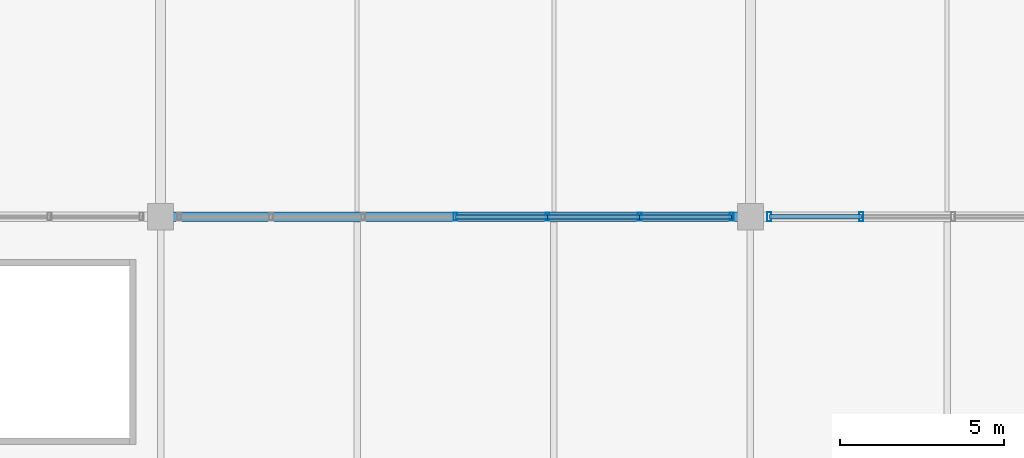
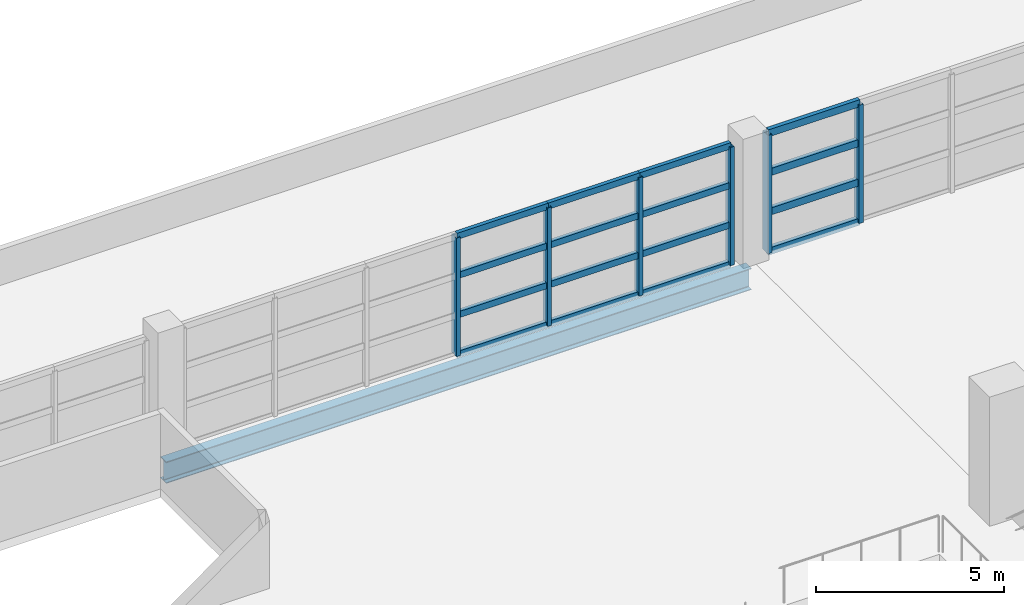
# One storey, part 49 of 136: 22 members, 1 beam, 2 elements without a shape of their own.
"""IFC4 building model written with IfcOpenShell, lengths in metres."""

import ifcopenshell
import ifcopenshell.guid

model = None  # the IFC model being written
_history = None  # IfcOwnerHistory: only IFC2X3 demands one
_inside = {}  # id of a spatial element -> (the spatial element, [elements in it])
_under = {}  # id of a project, library or spatial element -> (it, [spatial elements below it])
_declared = {}  # id of a project -> (the project, [libraries it declares])
_typed = {}  # id of a type object -> (the type object, [elements of that type])
_made_of = {}  # id of a material, layer set ... -> (it, [elements and type objects made of it])


def new_model(schema):
    """Start an empty IFC model of exactly this schema.

    Asked for "IFC4X3", IfcOpenShell would pick the latest addendum, in which some entities
    have other attributes; the version numbers below select the first issue.
    IFC2X3 requires an IfcOwnerHistory on every rooted entity: one is made here for all.
    """
    global model, _history
    if schema == "IFC4X3":
        model = ifcopenshell.file(schema_version=(4, 3, 0, 0))
    else:
        model = ifcopenshell.file(schema=schema)
    _inside.clear()
    _under.clear()
    _declared.clear()
    _typed.clear()
    _made_of.clear()
    _history = None
    if model.schema == "IFC2X3":
        org = make("IfcOrganization", Name="unknown")
        user = make(
            "IfcPersonAndOrganization",
            ThePerson=make("IfcPerson", FamilyName="unknown"),
            TheOrganization=org,
        )
        app = make(
            "IfcApplication",
            ApplicationDeveloper=org,
            Version="unknown",
            ApplicationFullName="unknown",
            ApplicationIdentifier="unknown",
        )
        _history = make(
            "IfcOwnerHistory",
            OwningUser=user,
            OwningApplication=app,
            ChangeAction="ADDED",
            CreationDate=0,
        )
    return model


def make(cls, **values):
    """One entity of the class cls with the attributes given. An attribute that is None is left unset."""
    return model.create_entity(
        cls, **{name: value for name, value in values.items() if value is not None}
    )


def rooted(cls, **values):
    """An entity with a GlobalId (a new one), such as an element, a storey or a relation."""
    return make(cls, GlobalId=ifcopenshell.guid.new(), OwnerHistory=_history, **values)


def si_unit(unit_type, name, prefix=None):
    """IfcSIUnit, for example si_unit("LENGTHUNIT", "METRE", prefix="MILLI")."""
    return make("IfcSIUnit", UnitType=unit_type, Prefix=prefix, Name=name)


def assignment(units):
    """IfcUnitAssignment: the units of a project."""
    return None if units is None else make("IfcUnitAssignment", Units=units)


def point(xyz):
    """IfcCartesianPoint."""
    return None if xyz is None else make("IfcCartesianPoint", Coordinates=xyz)


def direction(xyz):
    """IfcDirection."""
    return None if xyz is None else make("IfcDirection", DirectionRatios=xyz)


def frame(location, z_axis=None, x_axis=None):
    """IfcAxis2Placement3D, a coordinate frame: its origin and axes. An axis left out is left unset."""
    return make(
        "IfcAxis2Placement3D",
        Location=point(location),
        Axis=direction(z_axis),
        RefDirection=direction(x_axis),
    )


def frame_2d(location, x_axis=None):
    """IfcAxis2Placement2D, a coordinate frame in the plane: its origin and x axis."""
    return make(
        "IfcAxis2Placement2D", Location=point(location), RefDirection=direction(x_axis)
    )


def origin():
    """The frame at (0, 0, 0) with its axes left unset."""
    return frame((0.0, 0.0, 0.0))


def origin_2d():
    """The frame at (0, 0) in the plane with its x axis left unset."""
    return frame_2d((0.0, 0.0))


def place(relative_to, where):
    """IfcLocalPlacement: puts the frame where relative to a parent placement (None: the world)."""
    return make(
        "IfcLocalPlacement", PlacementRelTo=relative_to, RelativePlacement=where
    )


def context(
    kind, dimensions, precision=None, world=None, true_north=None, identifier=None
):
    """IfcGeometricRepresentationContext, for example the 3D "Model" context."""
    return make(
        "IfcGeometricRepresentationContext",
        ContextIdentifier=identifier,
        ContextType=kind,
        CoordinateSpaceDimension=dimensions,
        Precision=precision,
        WorldCoordinateSystem=world,
        TrueNorth=true_north,
    )


def subcontext(parent, identifier, kind, view, scale=None):
    """IfcGeometricRepresentationSubContext, for example "Body" below "Model"."""
    return make(
        "IfcGeometricRepresentationSubContext",
        ContextIdentifier=identifier,
        ContextType=kind,
        ParentContext=parent,
        TargetScale=scale,
        TargetView=view,
    )


def project(units=None, contexts=None):
    """IfcProject with its units and contexts."""
    return rooted(
        "IfcProject",
        Name="project",
        RepresentationContexts=contexts,
        UnitsInContext=assignment(units),
    )


def spatial(cls, under=None, at=None, **own):
    """A site, building, storey or space (cls), placed at a placement, below another one or the project."""
    s = rooted(cls, ObjectPlacement=at, **own)
    if under is not None:
        _under.setdefault(under.id(), (under, []))[1].append(s)
    return s


def profile(cls, at=None, kind="AREA", **sizes):
    """A parametric profile (cls). Its sizes go by their IFC names, for example OverallWidth=200.0."""
    return make(cls, ProfileType=kind, Position=at, **sizes)


def hollow_rectangle(**sizes):
    """IfcRectangleHollowProfileDef."""
    return profile("IfcRectangleHollowProfileDef", **sizes)


def i_section(**sizes):
    """IfcIShapeProfileDef."""
    return profile("IfcIShapeProfileDef", **sizes)


def extrude(swept, where, along, depth):
    """IfcExtrudedAreaSolid: the profile swept, set in the frame where, extruded along a direction by depth."""
    return make(
        "IfcExtrudedAreaSolid",
        SweptArea=swept,
        Position=where,
        ExtrudedDirection=direction(along),
        Depth=depth,
    )


def shape(context_of_items, identifier, shape_type, items):
    """IfcShapeRepresentation: the items that make up one representation, for example the "Body"."""
    return make(
        "IfcShapeRepresentation",
        ContextOfItems=context_of_items,
        RepresentationIdentifier=identifier,
        RepresentationType=shape_type,
        Items=items,
    )


def material(Name=None, Category=None):
    """IfcMaterial."""
    return make("IfcMaterial", Name=Name, Category=Category)


def material_profile(
    of_material, cross_section, Name=None, Category=None, Priority=None
):
    """IfcMaterialProfile: a cross section and its material."""
    return make(
        "IfcMaterialProfile",
        Name=Name,
        Material=of_material,
        Profile=cross_section,
        Priority=Priority,
        Category=Category,
    )


def profile_set(profiles, Name=None, composite=None):
    """IfcMaterialProfileSet."""
    return make(
        "IfcMaterialProfileSet",
        Name=Name,
        MaterialProfiles=profiles,
        CompositeProfile=composite,
    )


def made_of(thing, what):
    """Note that an element or type object is made of a material, layer set ...; save() writes the relation."""
    if what is not None:
        _made_of.setdefault(what.id(), (what, []))[1].append(thing)
    return thing


def type_object(cls, material=None, **own):
    """A type object (cls), such as IfcWallType, which elements share."""
    return made_of(rooted(cls, **own), material)


def element(
    cls,
    number,
    at=None,
    inside=None,
    cuts=None,
    type_object=None,
    material=None,
    context=None,
    identifier="Body",
    shape_type=None,
    held_by="IfcProductDefinitionShape",
    body=None,
    shapes=None,
    **own,
):
    """One element of the class cls, such as IfcWall. Its Tag is "e" and its number.

    at: its placement. inside: the storey or other place that contains it. cuts: it is an
    opening in that element (IfcRelVoidsElement). A single representation is given by context,
    identifier, shape_type and body (its items); several are given by shapes. held_by: the class
    of the entity that holds the representations. save() writes the other relations.
    """
    e = rooted(cls, Tag="e%d" % number, ObjectPlacement=at, **own)
    if body is not None:
        shapes = [shape(context, identifier, shape_type, body)]
    if shapes is not None:
        e.Representation = make(held_by, Representations=shapes)
    if inside is not None:
        _inside.setdefault(inside.id(), (inside, []))[1].append(e)
    if cuts is not None:
        rooted(
            "IfcRelVoidsElement", RelatingBuildingElement=cuts, RelatedOpeningElement=e
        )
    if type_object is not None:
        _typed.setdefault(type_object.id(), (type_object, []))[1].append(e)
    return made_of(e, material)


def aggregate(whole, parts):
    """IfcRelAggregates: a whole, such as a stair, and the parts it consists of."""
    return rooted("IfcRelAggregates", RelatingObject=whole, RelatedObjects=parts)


def save(model, path):
    """Write the relations noted so far, then the file.

    IfcRelAggregates (storeys below a building ...), IfcRelContainedInSpatialStructure (elements
    in a storey), IfcRelDefinesByType, IfcRelAssociatesMaterial and IfcRelDeclares: one each for
    every whole, place, type object, material and project.
    """
    for whole, parts in _under.values():
        aggregate(whole, parts)
    for where, things in _inside.values():
        rooted(
            "IfcRelContainedInSpatialStructure",
            RelatedElements=things,
            RelatingStructure=where,
        )
    for kind, things in _typed.values():
        rooted("IfcRelDefinesByType", RelatedObjects=things, RelatingType=kind)
    for what, things in _made_of.values():
        rooted("IfcRelAssociatesMaterial", RelatedObjects=things, RelatingMaterial=what)
    for by, libraries in _declared.values():
        rooted("IfcRelDeclares", RelatingContext=by, RelatedDefinitions=libraries)
    model.write(path)


model = new_model("IFC4")

# Units and contexts
model_context = context("Model", 3, precision=1e-05, world=origin(), true_north=direction((0.0, 1.0)))
body_context = subcontext(model_context, "Body", "Model", "MODEL_VIEW")
ifc_project = project(units=[si_unit("LENGTHUNIT", "METRE"), si_unit("AREAUNIT", "SQUARE_METRE"), si_unit("VOLUMEUNIT", "CUBIC_METRE"), si_unit("PLANEANGLEUNIT", "RADIAN"), si_unit("MASSUNIT", "GRAM", prefix="KILO")], contexts=[model_context])

# Site, building, storey
site_placement = place(None, origin())
site = spatial("IfcSite", under=ifc_project, at=site_placement, CompositionType="ELEMENT")
building_placement = place(site_placement, origin())
building = spatial("IfcBuilding", under=site, at=building_placement, Name="Chuanluo Vaults Station", CompositionType="ELEMENT")
storey_placement = place(building_placement, frame((0.0, 0.0, 6.60009765625)))
storey = spatial("IfcBuildingStorey", under=building, at=storey_placement, Name="L01", CompositionType="ELEMENT", Elevation=6.60009765625)

# Beam
ifc_material_1 = material(Name="Steel Q355C", Category="steel")
ifc_material_profile_1 = material_profile(ifc_material_1, i_section(OverallWidth=0.300048828125, OverallDepth=0.699951171875, WebThickness=0.012939453125, FlangeThickness=0.02392578125, FilletRadius=0.02197265625, at=origin_2d()))
ifc_profile_set_1 = profile_set([ifc_material_profile_1], Name="Steel Q355C")
beam_type = type_object("IfcBeamType", Name="BM-GRD-700", PredefinedType="USERDEFINED", material=ifc_profile_set_1)
beam_placement = place(storey_placement, frame((72.0, 117.0, -0.630126953125), z_axis=(1.0, 0.0, 0.0), x_axis=(0.0, 1.0, 0.0)))
element("IfcBeam", 1, at=beam_placement, inside=storey, type_object=beam_type, Name="Floor girder BM:GX:L01:0381", ObjectType="GIRDER", PredefinedType="USERDEFINED", context=body_context, shape_type="SweptSolid", body=[
    extrude(i_section(OverallWidth=0.300048828125, OverallDepth=0.699951171875, WebThickness=0.012939453125, FlangeThickness=0.02392578125, FilletRadius=0.02197265625, at=origin_2d()), origin(), (0.0, 0.0, 1.0), 18.0),
])

# Curtain wall, members
ifc_material_2 = material(Name="Anodised aluminium 6063-T6", Category="aluminium")
curtain_wall_type_1 = type_object("IfcCurtainWallType", Name="CW-SYS-19", PredefinedType="NOTDEFINED", material=ifc_material_2)
curtain_wall_1_placement = place(storey_placement, origin())
curtain_wall_1 = element("IfcCurtainWall", 2, at=curtain_wall_1_placement, inside=storey, type_object=curtain_wall_type_1, Name="Over-track V5 north facade CW", PredefinedType="NOTDEFINED")
ifc_material_3 = material(Name="Anodised aluminium 6063-T6", Category="aluminium")
ifc_material_profile_2 = material_profile(ifc_material_3, hollow_rectangle(XDim=0.1201171875, YDim=0.25, WallThickness=0.006103515625, at=origin_2d()))
ifc_profile_set_2 = profile_set([ifc_material_profile_2], Name="Anodised aluminium 6063-T6")
member_type_1 = type_object("IfcMemberType", Name="CWM-160", PredefinedType="MULLION", material=ifc_profile_set_2)
member_1_placement = place(storey_placement, frame((81.0, 117.0, 0.0), z_axis=(0.0, 0.0, 1.0), x_axis=(1.0, 0.0, 0.0)))
member_1 = element("IfcMember", 3, at=member_1_placement, type_object=member_type_1, Name="Over-track V5 north facade CW mullion 4", PredefinedType="MULLION", context=body_context, shape_type="SweptSolid", body=[
    extrude(hollow_rectangle(XDim=0.1201171875, YDim=0.25, WallThickness=0.006103515625, at=origin_2d()), origin(), (0.0, 0.0, 1.0), 3.849853515625),
])
member_2_placement = place(storey_placement, frame((83.808349609375, 117.0, 0.0), z_axis=(0.0, 0.0, 1.0), x_axis=(1.0, 0.0, 0.0)))
member_2 = element("IfcMember", 4, at=member_2_placement, type_object=member_type_1, Name="Over-track V5 north facade CW mullion 5", PredefinedType="MULLION", context=body_context, shape_type="SweptSolid", body=[
    extrude(hollow_rectangle(XDim=0.1201171875, YDim=0.25, WallThickness=0.006103515625, at=origin_2d()), origin(), (0.0, 0.0, 1.0), 3.849853515625),
])
member_3_placement = place(storey_placement, frame((86.61669921875, 117.0, 0.0), z_axis=(0.0, 0.0, 1.0), x_axis=(1.0, 0.0, 0.0)))
member_3 = element("IfcMember", 5, at=member_3_placement, type_object=member_type_1, Name="Over-track V5 north facade CW mullion 6", PredefinedType="MULLION", context=body_context, shape_type="SweptSolid", body=[
    extrude(hollow_rectangle(XDim=0.1201171875, YDim=0.25, WallThickness=0.006103515625, at=origin_2d()), origin(), (0.0, 0.0, 1.0), 3.849853515625),
])
member_4_placement = place(storey_placement, frame((89.425048828125, 117.0, 0.0), z_axis=(0.0, 0.0, 1.0), x_axis=(1.0, 0.0, 0.0)))
member_4 = element("IfcMember", 6, at=member_4_placement, type_object=member_type_1, Name="Over-track V5 north facade CW mullion 7", PredefinedType="MULLION", context=body_context, shape_type="SweptSolid", body=[
    extrude(hollow_rectangle(XDim=0.1201171875, YDim=0.25, WallThickness=0.006103515625, at=origin_2d()), origin(), (0.0, 0.0, 1.0), 3.849853515625),
])

ifc_material_4 = material(Name="Anodised aluminium 6063-T6", Category="aluminium")
curtain_wall_type_2 = type_object("IfcCurtainWallType", Name="CW-SYS-22", PredefinedType="NOTDEFINED", material=ifc_material_4)
curtain_wall_2_placement = place(storey_placement, origin())
curtain_wall_2 = element("IfcCurtainWall", 7, at=curtain_wall_2_placement, inside=storey, type_object=curtain_wall_type_2, Name="Over-track V6 north facade CW", PredefinedType="NOTDEFINED")
ifc_material_5 = material(Name="Anodised aluminium 6063-T6", Category="aluminium")
ifc_material_profile_3 = material_profile(ifc_material_5, hollow_rectangle(XDim=0.1298828125, YDim=0.280029296875, WallThickness=0.007080078125, at=origin_2d()))
ifc_profile_set_3 = profile_set([ifc_material_profile_3], Name="Anodised aluminium 6063-T6")
member_type_2 = type_object("IfcMemberType", Name="CWM-180", PredefinedType="MULLION", material=ifc_profile_set_3)
member_5_placement = place(storey_placement, frame((90.574951171875, 117.0, 0.0), z_axis=(0.0, 0.0, 1.0), x_axis=(1.0, 0.0, 0.0)))
member_5 = element("IfcMember", 8, at=member_5_placement, type_object=member_type_2, Name="Over-track V6 north facade CW mullion 1", PredefinedType="MULLION", context=body_context, shape_type="SweptSolid", body=[
    extrude(hollow_rectangle(XDim=0.1298828125, YDim=0.280029296875, WallThickness=0.007080078125, at=origin_2d()), origin(), (0.0, 0.0, 1.0), 3.849853515625),
])
member_6_placement = place(storey_placement, frame((93.38330078125, 117.0, 0.0), z_axis=(0.0, 0.0, 1.0), x_axis=(1.0, 0.0, 0.0)))
member_6 = element("IfcMember", 9, at=member_6_placement, type_object=member_type_2, Name="Over-track V6 north facade CW mullion 2", PredefinedType="MULLION", context=body_context, shape_type="SweptSolid", body=[
    extrude(hollow_rectangle(XDim=0.1298828125, YDim=0.280029296875, WallThickness=0.007080078125, at=origin_2d()), origin(), (0.0, 0.0, 1.0), 3.849853515625),
])

# Member
ifc_material_6 = material(Name="Anodised aluminium 6063-T6", Category="aluminium")
ifc_material_profile_4 = material_profile(ifc_material_6, hollow_rectangle(XDim=0.1201171875, YDim=0.205078125, WallThickness=0.006103515625, at=origin_2d()))
ifc_profile_set_4 = profile_set([ifc_material_profile_4], Name="Anodised aluminium 6063-T6")
member_type_3 = type_object("IfcMemberType", Name="CWT-130", PredefinedType="USERDEFINED", material=ifc_profile_set_4)
member_7_placement = place(storey_placement, frame((81.0, 117.0, 0.0), z_axis=(1.0, 0.0, 0.0), x_axis=(0.0, 1.0, 0.0)))
member_7 = element("IfcMember", 10, at=member_7_placement, type_object=member_type_3, Name="Over-track V5 north facade CW transom 4.1", ObjectType="TRANSOM", PredefinedType="USERDEFINED", context=body_context, shape_type="SweptSolid", body=[
    extrude(hollow_rectangle(XDim=0.1201171875, YDim=0.205078125, WallThickness=0.006103515625, at=origin_2d()), origin(), (0.0, 0.0, 1.0), 2.808349609375),
])

member_8_placement = place(storey_placement, frame((81.0, 117.0, 1.283203125), z_axis=(1.0, 0.0, 0.0), x_axis=(0.0, 1.0, 0.0)))
member_8 = element("IfcMember", 11, at=member_8_placement, type_object=member_type_3, Name="Over-track V5 north facade CW transom 4.2", ObjectType="TRANSOM", PredefinedType="USERDEFINED", context=body_context, shape_type="SweptSolid", body=[
    extrude(hollow_rectangle(XDim=0.1201171875, YDim=0.205078125, WallThickness=0.006103515625, at=origin_2d()), origin(), (0.0, 0.0, 1.0), 2.808349609375),
])

member_9_placement = place(storey_placement, frame((81.0, 117.0, 2.566650390625), z_axis=(1.0, 0.0, 0.0), x_axis=(0.0, 1.0, 0.0)))
member_9 = element("IfcMember", 12, at=member_9_placement, type_object=member_type_3, Name="Over-track V5 north facade CW transom 4.3", ObjectType="TRANSOM", PredefinedType="USERDEFINED", context=body_context, shape_type="SweptSolid", body=[
    extrude(hollow_rectangle(XDim=0.1201171875, YDim=0.205078125, WallThickness=0.006103515625, at=origin_2d()), origin(), (0.0, 0.0, 1.0), 2.808349609375),
])

member_10_placement = place(storey_placement, frame((81.0, 117.0, 3.849853515625), z_axis=(1.0, 0.0, 0.0), x_axis=(0.0, 1.0, 0.0)))
member_10 = element("IfcMember", 13, at=member_10_placement, type_object=member_type_3, Name="Over-track V5 north facade CW transom 4.4", ObjectType="TRANSOM", PredefinedType="USERDEFINED", context=body_context, shape_type="SweptSolid", body=[
    extrude(hollow_rectangle(XDim=0.1201171875, YDim=0.205078125, WallThickness=0.006103515625, at=origin_2d()), origin(), (0.0, 0.0, 1.0), 2.808349609375),
])

member_11_placement = place(storey_placement, frame((83.808349609375, 117.0, 0.0), z_axis=(1.0, 0.0, 0.0), x_axis=(0.0, 1.0, 0.0)))
member_11 = element("IfcMember", 14, at=member_11_placement, type_object=member_type_3, Name="Over-track V5 north facade CW transom 5.1", ObjectType="TRANSOM", PredefinedType="USERDEFINED", context=body_context, shape_type="SweptSolid", body=[
    extrude(hollow_rectangle(XDim=0.1201171875, YDim=0.205078125, WallThickness=0.006103515625, at=origin_2d()), origin(), (0.0, 0.0, 1.0), 2.808349609375),
])

member_12_placement = place(storey_placement, frame((83.808349609375, 117.0, 1.283203125), z_axis=(1.0, 0.0, 0.0), x_axis=(0.0, 1.0, 0.0)))
member_12 = element("IfcMember", 15, at=member_12_placement, type_object=member_type_3, Name="Over-track V5 north facade CW transom 5.2", ObjectType="TRANSOM", PredefinedType="USERDEFINED", context=body_context, shape_type="SweptSolid", body=[
    extrude(hollow_rectangle(XDim=0.1201171875, YDim=0.205078125, WallThickness=0.006103515625, at=origin_2d()), origin(), (0.0, 0.0, 1.0), 2.808349609375),
])

member_13_placement = place(storey_placement, frame((83.808349609375, 117.0, 2.566650390625), z_axis=(1.0, 0.0, 0.0), x_axis=(0.0, 1.0, 0.0)))
member_13 = element("IfcMember", 16, at=member_13_placement, type_object=member_type_3, Name="Over-track V5 north facade CW transom 5.3", ObjectType="TRANSOM", PredefinedType="USERDEFINED", context=body_context, shape_type="SweptSolid", body=[
    extrude(hollow_rectangle(XDim=0.1201171875, YDim=0.205078125, WallThickness=0.006103515625, at=origin_2d()), origin(), (0.0, 0.0, 1.0), 2.808349609375),
])

member_14_placement = place(storey_placement, frame((83.808349609375, 117.0, 3.849853515625), z_axis=(1.0, 0.0, 0.0), x_axis=(0.0, 1.0, 0.0)))
member_14 = element("IfcMember", 17, at=member_14_placement, type_object=member_type_3, Name="Over-track V5 north facade CW transom 5.4", ObjectType="TRANSOM", PredefinedType="USERDEFINED", context=body_context, shape_type="SweptSolid", body=[
    extrude(hollow_rectangle(XDim=0.1201171875, YDim=0.205078125, WallThickness=0.006103515625, at=origin_2d()), origin(), (0.0, 0.0, 1.0), 2.808349609375),
])

member_15_placement = place(storey_placement, frame((86.61669921875, 117.0, 0.0), z_axis=(1.0, 0.0, 0.0), x_axis=(0.0, 1.0, 0.0)))
member_15 = element("IfcMember", 18, at=member_15_placement, type_object=member_type_3, Name="Over-track V5 north facade CW transom 6.1", ObjectType="TRANSOM", PredefinedType="USERDEFINED", context=body_context, shape_type="SweptSolid", body=[
    extrude(hollow_rectangle(XDim=0.1201171875, YDim=0.205078125, WallThickness=0.006103515625, at=origin_2d()), origin(), (0.0, 0.0, 1.0), 2.808349609375),
])

member_16_placement = place(storey_placement, frame((86.61669921875, 117.0, 1.283203125), z_axis=(1.0, 0.0, 0.0), x_axis=(0.0, 1.0, 0.0)))
member_16 = element("IfcMember", 19, at=member_16_placement, type_object=member_type_3, Name="Over-track V5 north facade CW transom 6.2", ObjectType="TRANSOM", PredefinedType="USERDEFINED", context=body_context, shape_type="SweptSolid", body=[
    extrude(hollow_rectangle(XDim=0.1201171875, YDim=0.205078125, WallThickness=0.006103515625, at=origin_2d()), origin(), (0.0, 0.0, 1.0), 2.808349609375),
])

member_17_placement = place(storey_placement, frame((86.61669921875, 117.0, 2.566650390625), z_axis=(1.0, 0.0, 0.0), x_axis=(0.0, 1.0, 0.0)))
member_17 = element("IfcMember", 20, at=member_17_placement, type_object=member_type_3, Name="Over-track V5 north facade CW transom 6.3", ObjectType="TRANSOM", PredefinedType="USERDEFINED", context=body_context, shape_type="SweptSolid", body=[
    extrude(hollow_rectangle(XDim=0.1201171875, YDim=0.205078125, WallThickness=0.006103515625, at=origin_2d()), origin(), (0.0, 0.0, 1.0), 2.808349609375),
])

member_18_placement = place(storey_placement, frame((86.61669921875, 117.0, 3.849853515625), z_axis=(1.0, 0.0, 0.0), x_axis=(0.0, 1.0, 0.0)))
member_18 = element("IfcMember", 21, at=member_18_placement, type_object=member_type_3, Name="Over-track V5 north facade CW transom 6.4", ObjectType="TRANSOM", PredefinedType="USERDEFINED", context=body_context, shape_type="SweptSolid", body=[
    extrude(hollow_rectangle(XDim=0.1201171875, YDim=0.205078125, WallThickness=0.006103515625, at=origin_2d()), origin(), (0.0, 0.0, 1.0), 2.808349609375),
])

aggregate(curtain_wall_1, [member_1, member_2, member_3, member_4, member_7, member_8, member_9, member_10, member_11, member_12, member_13, member_14, member_15, member_16, member_17, member_18])

ifc_material_7 = material(Name="Anodised aluminium 6063-T6", Category="aluminium")
ifc_material_profile_5 = material_profile(ifc_material_7, hollow_rectangle(XDim=0.1298828125, YDim=0.22998046875, WallThickness=0.006103515625, at=origin_2d()))
ifc_profile_set_5 = profile_set([ifc_material_profile_5], Name="Anodised aluminium 6063-T6")
member_type_4 = type_object("IfcMemberType", Name="CWT-150", PredefinedType="USERDEFINED", material=ifc_profile_set_5)
member_19_placement = place(storey_placement, frame((90.574951171875, 117.0, 0.0), z_axis=(1.0, 0.0, 0.0), x_axis=(0.0, 1.0, 0.0)))
member_19 = element("IfcMember", 22, at=member_19_placement, type_object=member_type_4, Name="Over-track V6 north facade CW transom 1.1", ObjectType="TRANSOM", PredefinedType="USERDEFINED", context=body_context, shape_type="SweptSolid", body=[
    extrude(hollow_rectangle(XDim=0.1298828125, YDim=0.22998046875, WallThickness=0.006103515625, at=origin_2d()), origin(), (0.0, 0.0, 1.0), 2.808349609375),
])

member_20_placement = place(storey_placement, frame((90.574951171875, 117.0, 1.283203125), z_axis=(1.0, 0.0, 0.0), x_axis=(0.0, 1.0, 0.0)))
member_20 = element("IfcMember", 23, at=member_20_placement, type_object=member_type_4, Name="Over-track V6 north facade CW transom 1.2", ObjectType="TRANSOM", PredefinedType="USERDEFINED", context=body_context, shape_type="SweptSolid", body=[
    extrude(hollow_rectangle(XDim=0.1298828125, YDim=0.22998046875, WallThickness=0.006103515625, at=origin_2d()), origin(), (0.0, 0.0, 1.0), 2.808349609375),
])

member_21_placement = place(storey_placement, frame((90.574951171875, 117.0, 2.566650390625), z_axis=(1.0, 0.0, 0.0), x_axis=(0.0, 1.0, 0.0)))
member_21 = element("IfcMember", 24, at=member_21_placement, type_object=member_type_4, Name="Over-track V6 north facade CW transom 1.3", ObjectType="TRANSOM", PredefinedType="USERDEFINED", context=body_context, shape_type="SweptSolid", body=[
    extrude(hollow_rectangle(XDim=0.1298828125, YDim=0.22998046875, WallThickness=0.006103515625, at=origin_2d()), origin(), (0.0, 0.0, 1.0), 2.808349609375),
])

member_22_placement = place(storey_placement, frame((90.574951171875, 117.0, 3.849853515625), z_axis=(1.0, 0.0, 0.0), x_axis=(0.0, 1.0, 0.0)))
member_22 = element("IfcMember", 25, at=member_22_placement, type_object=member_type_4, Name="Over-track V6 north facade CW transom 1.4", ObjectType="TRANSOM", PredefinedType="USERDEFINED", context=body_context, shape_type="SweptSolid", body=[
    extrude(hollow_rectangle(XDim=0.1298828125, YDim=0.22998046875, WallThickness=0.006103515625, at=origin_2d()), origin(), (0.0, 0.0, 1.0), 2.808349609375),
])

aggregate(curtain_wall_2, [member_5, member_6, member_19, member_20, member_21, member_22])

save(model, "model.ifc")
